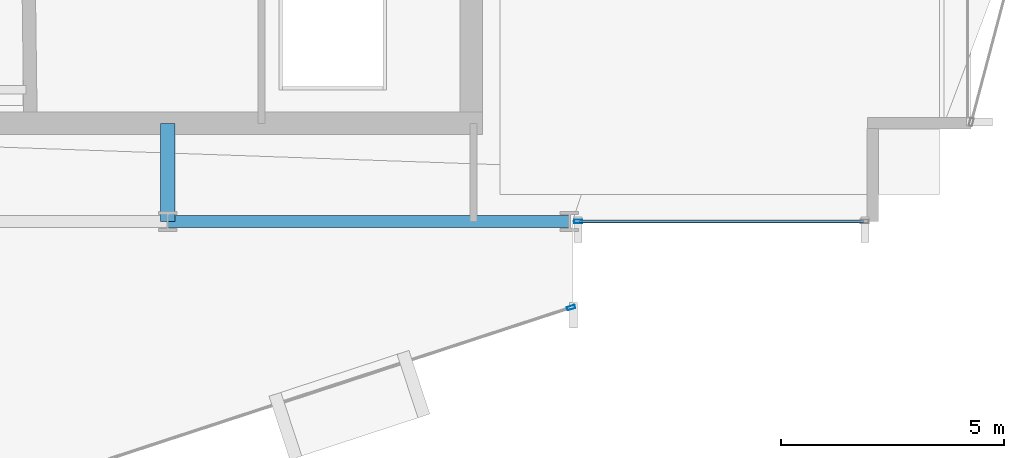
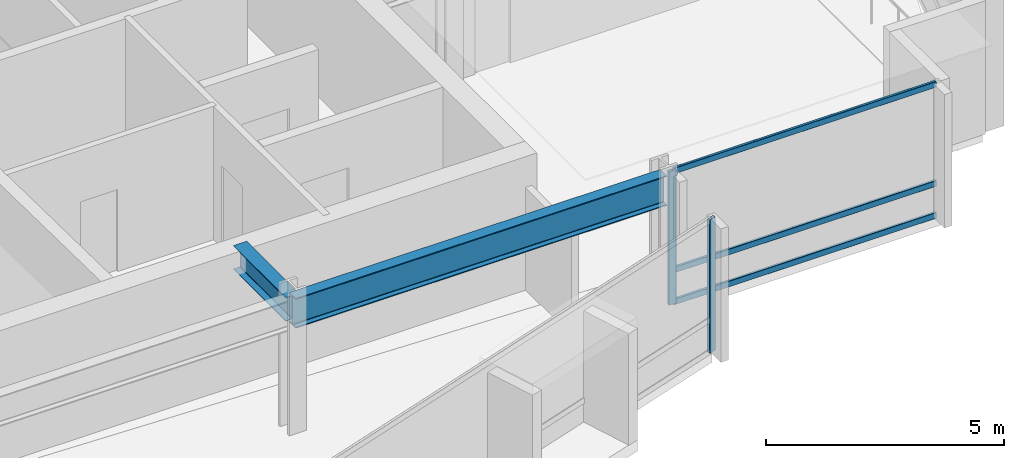
# One storey, part 10 of 29: 5 members, 2 beams, 2 elements without a shape of their own.
"""IFC4 building model written with IfcOpenShell, lengths in metres."""

from ifc_helpers import new_model, si_unit, direction, frame, origin, origin_2d, place, context, subcontext, project, spatial, hollow_rectangle, i_section, extrude, material, layer, layer_set, material_profile, profile_set, type_object, element, aggregate, save


model = new_model("IFC4")

# Units and contexts
model_context = context("Model", 3, precision=1e-05, world=origin(), true_north=direction((0.0, 1.0)))
body_context = subcontext(model_context, "Body", "Model", "MODEL_VIEW")
ifc_project = project(units=[si_unit("LENGTHUNIT", "METRE"), si_unit("AREAUNIT", "SQUARE_METRE"), si_unit("VOLUMEUNIT", "CUBIC_METRE"), si_unit("PLANEANGLEUNIT", "RADIAN"), si_unit("MASSUNIT", "GRAM", prefix="KILO")], contexts=[model_context])

# Site, building, storey
site_placement = place(None, origin())
site = spatial("IfcSite", under=ifc_project, at=site_placement, CompositionType="ELEMENT")
building_placement = place(site_placement, origin())
building = spatial("IfcBuilding", under=site, at=building_placement, Name="Solvaryn Broadcast Tower", CompositionType="ELEMENT")
storey_placement = place(building_placement, frame((0.0, 0.0, 128.5)))
storey = spatial("IfcBuildingStorey", under=building, at=storey_placement, Name="L31", CompositionType="ELEMENT", Elevation=128.5)

# Beams
ifc_material_1 = material(Name="Steel ASTM A992 Grade 50", Category="steel")
ifc_material_profile_1 = material_profile(ifc_material_1, i_section(OverallWidth=0.323974609375, OverallDepth=0.611083984375, WebThickness=0.0126953125, FlangeThickness=0.01904296875, FilletRadius=0.014892578125, at=origin_2d()))
ifc_profile_set_1 = profile_set([ifc_material_profile_1], Name="Steel ASTM A992 Grade 50")
beam_type_1 = type_object("IfcBeamType", Name="BM-B1-W24X104", PredefinedType="BEAM", material=ifc_profile_set_1)
beam_1_placement = place(storey_placement, frame((36.0, 9.0, 3.114501953125), z_axis=(0.0, 1.0, 0.0), x_axis=(-1.0, 0.0, 0.0)))
element("IfcBeam", 1, at=beam_1_placement, inside=storey, type_object=beam_type_1, Name="L31 Core Tie Beam CTE1", PredefinedType="BEAM", context=body_context, shape_type="SweptSolid", body=[
    extrude(i_section(OverallWidth=0.323974609375, OverallDepth=0.611083984375, WebThickness=0.0126953125, FlangeThickness=0.01904296875, FilletRadius=0.014892578125, at=origin_2d()), origin(), (0.0, 0.0, 1.0), 2.199951171875),
])
ifc_material_2 = material(Name="Steel ASTM A992 Grade 50", Category="steel")
ifc_material_profile_2 = material_profile(ifc_material_2, i_section(OverallWidth=0.26708984375, OverallDepth=0.76611328125, WebThickness=0.014892578125, FlangeThickness=0.023681640625, FilletRadius=0.01806640625, at=origin_2d()))
ifc_profile_set_2 = profile_set([ifc_material_profile_2], Name="Steel ASTM A992 Grade 50")
beam_type_2 = type_object("IfcBeamType", Name="BM-SP2-W30X124", PredefinedType="USERDEFINED", material=ifc_profile_set_2)
beam_2_placement = place(storey_placement, frame((36.0, 9.0, 3.037109375), z_axis=(1.0, 0.0, 0.0), x_axis=(0.0, 1.0, 0.0)))
element("IfcBeam", 2, at=beam_2_placement, inside=storey, type_object=beam_type_2, Name="L31 Spandrel Beam X (36-45 @ Y=9)", ObjectType="SPANDREL", PredefinedType="USERDEFINED", context=body_context, shape_type="SweptSolid", body=[
    extrude(i_section(OverallWidth=0.26708984375, OverallDepth=0.76611328125, WebThickness=0.014892578125, FlangeThickness=0.023681640625, FilletRadius=0.01806640625, at=origin_2d()), origin(), (0.0, 0.0, 1.0), 9.0),
])

# Curtain wall, member
ifc_material_3 = material(Name="Aluminium and Terracotta Unitised Curtain Wall", Category="masonry")
ifc_layer = layer(ifc_material_3, 0.199951171875)
ifc_layer_set = layer_set([ifc_layer], Name="CW-SYS2-LOWMID")
curtain_wall_type = type_object("IfcCurtainWallType", Name="CW-SYS2-LOWMID", PredefinedType="NOTDEFINED", material=ifc_layer_set)
curtain_wall_1_placement = place(storey_placement, origin())
curtain_wall_1 = element("IfcCurtainWall", 3, at=curtain_wall_1_placement, inside=storey, type_object=curtain_wall_type, Name="L31 Curtain Wall DR4", PredefinedType="NOTDEFINED")
ifc_material_4 = material(Name="Anodised Aluminium 6063-T6", Category="aluminium")
ifc_material_profile_3 = material_profile(ifc_material_4, hollow_rectangle(XDim=0.074951171875, YDim=0.179931640625, WallThickness=0.00390625, InnerFilletRadius=0.00390625, OuterFilletRadius=0.008056640625, at=origin_2d()))
ifc_profile_set_3 = profile_set([ifc_material_profile_3], Name="Anodised Aluminium 6063-T6")
member_type_1 = type_object("IfcMemberType", Name="CW-MUL-180", PredefinedType="MULLION", material=ifc_profile_set_3)
member_1_placement = place(storey_placement, frame((45.03857421875, 7.069580078125, 0.0), z_axis=(0.0, 0.0, 1.0), x_axis=(-0.311646057547, 0.950198260794, 0.0)))
member_1 = element("IfcMember", 4, at=member_1_placement, type_object=member_type_1, Name="CWS2 mullion 2", PredefinedType="MULLION", context=body_context, shape_type="SweptSolid", body=[
    extrude(hollow_rectangle(XDim=0.074951171875, YDim=0.179931640625, WallThickness=0.00390625, InnerFilletRadius=0.00390625, OuterFilletRadius=0.008056640625, at=origin_2d()), origin(), (0.0, 0.0, 1.0), 3.419921875),
])
aggregate(curtain_wall_1, [member_1])

# Curtain wall, members
curtain_wall_2_placement = place(storey_placement, origin())
curtain_wall_2 = element("IfcCurtainWall", 5, at=curtain_wall_2_placement, inside=storey, type_object=curtain_wall_type, Name="L31 Curtain Wall S2", PredefinedType="NOTDEFINED")
member_2_placement = place(storey_placement, frame((45.197021484375, 9.0, 0.0), z_axis=(0.0, 0.0, 1.0), x_axis=(0.0, 1.0, 0.0)))
member_2 = element("IfcMember", 6, at=member_2_placement, type_object=member_type_1, Name="CWS2 mullion 1", PredefinedType="MULLION", context=body_context, shape_type="SweptSolid", body=[
    extrude(hollow_rectangle(XDim=0.074951171875, YDim=0.179931640625, WallThickness=0.00390625, InnerFilletRadius=0.00390625, OuterFilletRadius=0.008056640625, at=origin_2d()), origin(), (0.0, 0.0, 1.0), 3.419921875),
])
ifc_material_5 = material(Name="Anodised Aluminium 6063-T6", Category="aluminium")
ifc_material_profile_4 = material_profile(ifc_material_5, hollow_rectangle(XDim=0.06494140625, YDim=0.14990234375, WallThickness=0.00390625, InnerFilletRadius=0.00390625, OuterFilletRadius=0.008056640625, at=origin_2d()))
ifc_profile_set_4 = profile_set([ifc_material_profile_4], Name="Anodised Aluminium 6063-T6")
member_type_2 = type_object("IfcMemberType", Name="CW-TRN-150", PredefinedType="USERDEFINED", material=ifc_profile_set_4)
member_3_placement = place(storey_placement, frame((45.22705078125, 9.0, 0.030029296875), z_axis=(1.0, 0.0, 0.0), x_axis=(0.0, 1.0, 0.0)))
member_3 = element("IfcMember", 7, at=member_3_placement, type_object=member_type_2, Name="CWS2 transom 1.1", ObjectType="TRANSOM", PredefinedType="USERDEFINED", context=body_context, shape_type="SweptSolid", body=[
    extrude(hollow_rectangle(XDim=0.06494140625, YDim=0.14990234375, WallThickness=0.00390625, InnerFilletRadius=0.00390625, OuterFilletRadius=0.008056640625, at=origin_2d()), origin(), (0.0, 0.0, 1.0), 6.363037109375),
])
member_4_placement = place(storey_placement, frame((45.22705078125, 9.0, 0.85009765625), z_axis=(1.0, 0.0, 0.0), x_axis=(0.0, 1.0, 0.0)))
member_4 = element("IfcMember", 8, at=member_4_placement, type_object=member_type_2, Name="CWS2 transom 1.2", ObjectType="TRANSOM", PredefinedType="USERDEFINED", context=body_context, shape_type="SweptSolid", body=[
    extrude(hollow_rectangle(XDim=0.06494140625, YDim=0.14990234375, WallThickness=0.00390625, InnerFilletRadius=0.00390625, OuterFilletRadius=0.008056640625, at=origin_2d()), origin(), (0.0, 0.0, 1.0), 6.363037109375),
])
member_5_placement = place(storey_placement, frame((45.22705078125, 9.0, 3.389892578125), z_axis=(1.0, 0.0, 0.0), x_axis=(0.0, 1.0, 0.0)))
member_5 = element("IfcMember", 9, at=member_5_placement, type_object=member_type_2, Name="CWS2 transom 1.3", ObjectType="TRANSOM", PredefinedType="USERDEFINED", context=body_context, shape_type="SweptSolid", body=[
    extrude(hollow_rectangle(XDim=0.06494140625, YDim=0.14990234375, WallThickness=0.00390625, InnerFilletRadius=0.00390625, OuterFilletRadius=0.008056640625, at=origin_2d()), origin(), (0.0, 0.0, 1.0), 6.363037109375),
])
aggregate(curtain_wall_2, [member_2, member_3, member_4, member_5])

save(model, "model.ifc")
